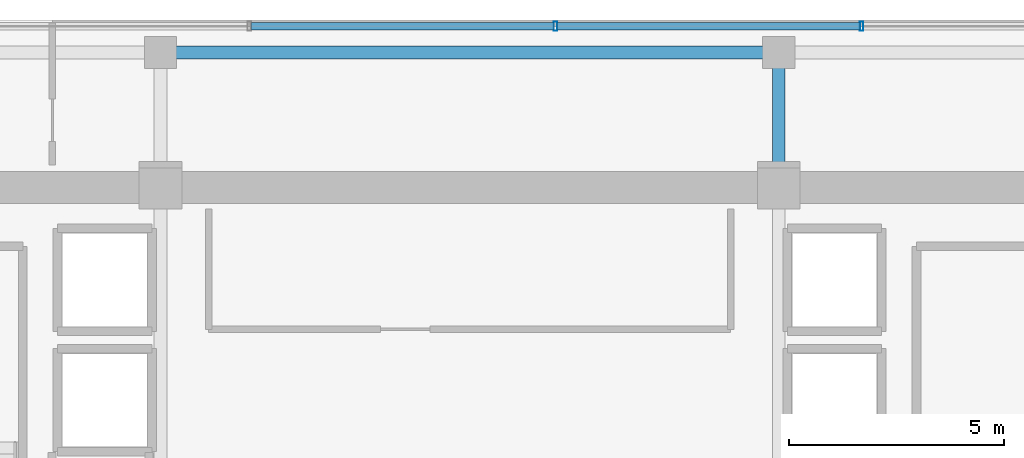
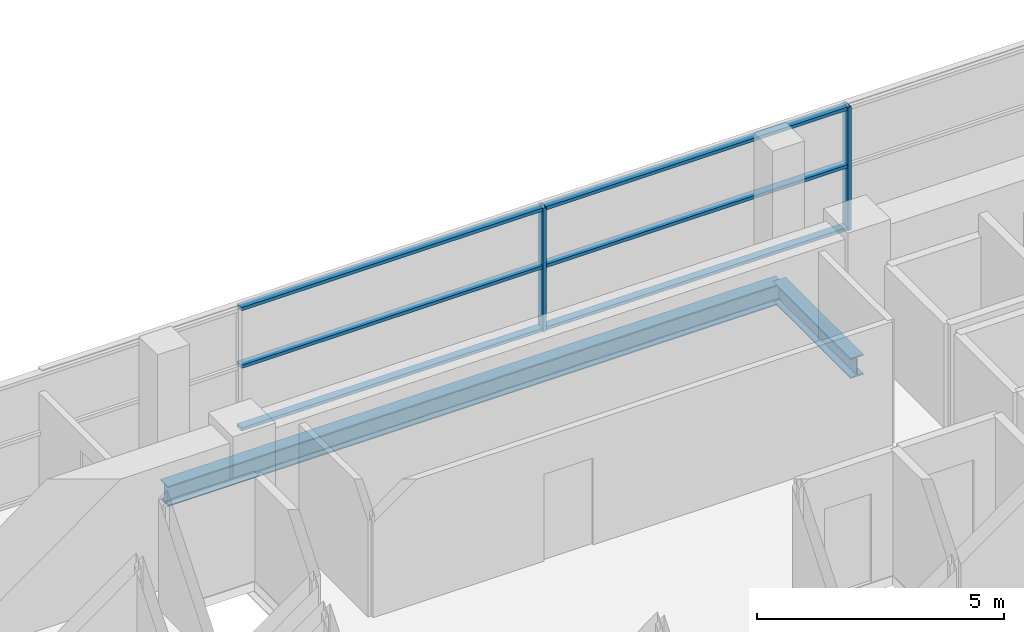
# One storey, part 11 of 21: 8 members, 2 beams, 1 element without a shape of its own.
"""IFC4 building model written with IfcOpenShell, lengths in metres."""

import ifcopenshell
import ifcopenshell.guid

model = None  # the IFC model being written
_history = None  # IfcOwnerHistory: only IFC2X3 demands one
_inside = {}  # id of a spatial element -> (the spatial element, [elements in it])
_under = {}  # id of a project, library or spatial element -> (it, [spatial elements below it])
_declared = {}  # id of a project -> (the project, [libraries it declares])
_typed = {}  # id of a type object -> (the type object, [elements of that type])
_made_of = {}  # id of a material, layer set ... -> (it, [elements and type objects made of it])


def new_model(schema):
    """Start an empty IFC model of exactly this schema.

    Asked for "IFC4X3", IfcOpenShell would pick the latest addendum, in which some entities
    have other attributes; the version numbers below select the first issue.
    IFC2X3 requires an IfcOwnerHistory on every rooted entity: one is made here for all.
    """
    global model, _history
    if schema == "IFC4X3":
        model = ifcopenshell.file(schema_version=(4, 3, 0, 0))
    else:
        model = ifcopenshell.file(schema=schema)
    _inside.clear()
    _under.clear()
    _declared.clear()
    _typed.clear()
    _made_of.clear()
    _history = None
    if model.schema == "IFC2X3":
        org = make("IfcOrganization", Name="unknown")
        user = make(
            "IfcPersonAndOrganization",
            ThePerson=make("IfcPerson", FamilyName="unknown"),
            TheOrganization=org,
        )
        app = make(
            "IfcApplication",
            ApplicationDeveloper=org,
            Version="unknown",
            ApplicationFullName="unknown",
            ApplicationIdentifier="unknown",
        )
        _history = make(
            "IfcOwnerHistory",
            OwningUser=user,
            OwningApplication=app,
            ChangeAction="ADDED",
            CreationDate=0,
        )
    return model


def make(cls, **values):
    """One entity of the class cls with the attributes given. An attribute that is None is left unset."""
    return model.create_entity(
        cls, **{name: value for name, value in values.items() if value is not None}
    )


def rooted(cls, **values):
    """An entity with a GlobalId (a new one), such as an element, a storey or a relation."""
    return make(cls, GlobalId=ifcopenshell.guid.new(), OwnerHistory=_history, **values)


def si_unit(unit_type, name, prefix=None):
    """IfcSIUnit, for example si_unit("LENGTHUNIT", "METRE", prefix="MILLI")."""
    return make("IfcSIUnit", UnitType=unit_type, Prefix=prefix, Name=name)


def assignment(units):
    """IfcUnitAssignment: the units of a project."""
    return None if units is None else make("IfcUnitAssignment", Units=units)


def point(xyz):
    """IfcCartesianPoint."""
    return None if xyz is None else make("IfcCartesianPoint", Coordinates=xyz)


def direction(xyz):
    """IfcDirection."""
    return None if xyz is None else make("IfcDirection", DirectionRatios=xyz)


def frame(location, z_axis=None, x_axis=None):
    """IfcAxis2Placement3D, a coordinate frame: its origin and axes. An axis left out is left unset."""
    return make(
        "IfcAxis2Placement3D",
        Location=point(location),
        Axis=direction(z_axis),
        RefDirection=direction(x_axis),
    )


def frame_2d(location, x_axis=None):
    """IfcAxis2Placement2D, a coordinate frame in the plane: its origin and x axis."""
    return make(
        "IfcAxis2Placement2D", Location=point(location), RefDirection=direction(x_axis)
    )


def origin():
    """The frame at (0, 0, 0) with its axes left unset."""
    return frame((0.0, 0.0, 0.0))


def origin_2d():
    """The frame at (0, 0) in the plane with its x axis left unset."""
    return frame_2d((0.0, 0.0))


def place(relative_to, where):
    """IfcLocalPlacement: puts the frame where relative to a parent placement (None: the world)."""
    return make(
        "IfcLocalPlacement", PlacementRelTo=relative_to, RelativePlacement=where
    )


def context(
    kind, dimensions, precision=None, world=None, true_north=None, identifier=None
):
    """IfcGeometricRepresentationContext, for example the 3D "Model" context."""
    return make(
        "IfcGeometricRepresentationContext",
        ContextIdentifier=identifier,
        ContextType=kind,
        CoordinateSpaceDimension=dimensions,
        Precision=precision,
        WorldCoordinateSystem=world,
        TrueNorth=true_north,
    )


def subcontext(parent, identifier, kind, view, scale=None):
    """IfcGeometricRepresentationSubContext, for example "Body" below "Model"."""
    return make(
        "IfcGeometricRepresentationSubContext",
        ContextIdentifier=identifier,
        ContextType=kind,
        ParentContext=parent,
        TargetScale=scale,
        TargetView=view,
    )


def project(units=None, contexts=None):
    """IfcProject with its units and contexts."""
    return rooted(
        "IfcProject",
        Name="project",
        RepresentationContexts=contexts,
        UnitsInContext=assignment(units),
    )


def spatial(cls, under=None, at=None, **own):
    """A site, building, storey or space (cls), placed at a placement, below another one or the project."""
    s = rooted(cls, ObjectPlacement=at, **own)
    if under is not None:
        _under.setdefault(under.id(), (under, []))[1].append(s)
    return s


def profile(cls, at=None, kind="AREA", **sizes):
    """A parametric profile (cls). Its sizes go by their IFC names, for example OverallWidth=200.0."""
    return make(cls, ProfileType=kind, Position=at, **sizes)


def hollow_rectangle(**sizes):
    """IfcRectangleHollowProfileDef."""
    return profile("IfcRectangleHollowProfileDef", **sizes)


def i_section(**sizes):
    """IfcIShapeProfileDef."""
    return profile("IfcIShapeProfileDef", **sizes)


def extrude(swept, where, along, depth):
    """IfcExtrudedAreaSolid: the profile swept, set in the frame where, extruded along a direction by depth."""
    return make(
        "IfcExtrudedAreaSolid",
        SweptArea=swept,
        Position=where,
        ExtrudedDirection=direction(along),
        Depth=depth,
    )


def shape(context_of_items, identifier, shape_type, items):
    """IfcShapeRepresentation: the items that make up one representation, for example the "Body"."""
    return make(
        "IfcShapeRepresentation",
        ContextOfItems=context_of_items,
        RepresentationIdentifier=identifier,
        RepresentationType=shape_type,
        Items=items,
    )


def source(mapping_origin, context_of_items, identifier, shape_type, items):
    """IfcRepresentationMap: a shape defined once, which mapped items show again and again."""
    return make(
        "IfcRepresentationMap",
        MappingOrigin=mapping_origin,
        MappedRepresentation=shape(context_of_items, identifier, shape_type, items),
    )


def transform(
    local_origin,
    x_axis=None,
    y_axis=None,
    z_axis=None,
    scale=None,
    scale2=None,
    scale3=None,
    uniform=True,
):
    """IfcCartesianTransformationOperator3D, or its non-uniform kind. x_axis, y_axis, z_axis: its Axis1, 2, 3."""
    if uniform:
        return make(
            "IfcCartesianTransformationOperator3D",
            Axis1=direction(x_axis),
            Axis2=direction(y_axis),
            LocalOrigin=point(local_origin),
            Scale=scale,
            Axis3=direction(z_axis),
        )
    return make(
        "IfcCartesianTransformationOperator3DnonUniform",
        Axis1=direction(x_axis),
        Axis2=direction(y_axis),
        LocalOrigin=point(local_origin),
        Scale=scale,
        Axis3=direction(z_axis),
        Scale2=scale2,
        Scale3=scale3,
    )


def mapped(mapping_source, mapping_target):
    """IfcMappedItem: shows the shape of a source again, moved by a transform."""
    return make(
        "IfcMappedItem", MappingSource=mapping_source, MappingTarget=mapping_target
    )


def material(Name=None, Category=None):
    """IfcMaterial."""
    return make("IfcMaterial", Name=Name, Category=Category)


def layer(
    of_material, thickness, ventilated=None, Name=None, Category=None, Priority=None
):
    """IfcMaterialLayer: one layer of a wall or slab, of a material (None: an air gap)."""
    return make(
        "IfcMaterialLayer",
        Material=of_material,
        LayerThickness=thickness,
        IsVentilated=ventilated,
        Name=Name,
        Category=Category,
        Priority=Priority,
    )


def layer_set(layers, Name=None):
    """IfcMaterialLayerSet."""
    return make("IfcMaterialLayerSet", MaterialLayers=layers, LayerSetName=Name)


def material_profile(
    of_material, cross_section, Name=None, Category=None, Priority=None
):
    """IfcMaterialProfile: a cross section and its material."""
    return make(
        "IfcMaterialProfile",
        Name=Name,
        Material=of_material,
        Profile=cross_section,
        Priority=Priority,
        Category=Category,
    )


def profile_set(profiles, Name=None, composite=None):
    """IfcMaterialProfileSet."""
    return make(
        "IfcMaterialProfileSet",
        Name=Name,
        MaterialProfiles=profiles,
        CompositeProfile=composite,
    )


def made_of(thing, what):
    """Note that an element or type object is made of a material, layer set ...; save() writes the relation."""
    if what is not None:
        _made_of.setdefault(what.id(), (what, []))[1].append(thing)
    return thing


def type_object(cls, material=None, **own):
    """A type object (cls), such as IfcWallType, which elements share."""
    return made_of(rooted(cls, **own), material)


def element(
    cls,
    number,
    at=None,
    inside=None,
    cuts=None,
    type_object=None,
    material=None,
    context=None,
    identifier="Body",
    shape_type=None,
    held_by="IfcProductDefinitionShape",
    body=None,
    shapes=None,
    **own,
):
    """One element of the class cls, such as IfcWall. Its Tag is "e" and its number.

    at: its placement. inside: the storey or other place that contains it. cuts: it is an
    opening in that element (IfcRelVoidsElement). A single representation is given by context,
    identifier, shape_type and body (its items); several are given by shapes. held_by: the class
    of the entity that holds the representations. save() writes the other relations.
    """
    e = rooted(cls, Tag="e%d" % number, ObjectPlacement=at, **own)
    if body is not None:
        shapes = [shape(context, identifier, shape_type, body)]
    if shapes is not None:
        e.Representation = make(held_by, Representations=shapes)
    if inside is not None:
        _inside.setdefault(inside.id(), (inside, []))[1].append(e)
    if cuts is not None:
        rooted(
            "IfcRelVoidsElement", RelatingBuildingElement=cuts, RelatedOpeningElement=e
        )
    if type_object is not None:
        _typed.setdefault(type_object.id(), (type_object, []))[1].append(e)
    return made_of(e, material)


def aggregate(whole, parts):
    """IfcRelAggregates: a whole, such as a stair, and the parts it consists of."""
    return rooted("IfcRelAggregates", RelatingObject=whole, RelatedObjects=parts)


def save(model, path):
    """Write the relations noted so far, then the file.

    IfcRelAggregates (storeys below a building ...), IfcRelContainedInSpatialStructure (elements
    in a storey), IfcRelDefinesByType, IfcRelAssociatesMaterial and IfcRelDeclares: one each for
    every whole, place, type object, material and project.
    """
    for whole, parts in _under.values():
        aggregate(whole, parts)
    for where, things in _inside.values():
        rooted(
            "IfcRelContainedInSpatialStructure",
            RelatedElements=things,
            RelatingStructure=where,
        )
    for kind, things in _typed.values():
        rooted("IfcRelDefinesByType", RelatedObjects=things, RelatingType=kind)
    for what, things in _made_of.values():
        rooted("IfcRelAssociatesMaterial", RelatedObjects=things, RelatingMaterial=what)
    for by, libraries in _declared.values():
        rooted("IfcRelDeclares", RelatingContext=by, RelatedDefinitions=libraries)
    model.write(path)


model = new_model("IFC4")

# Units and contexts
model_context = context("Model", 3, precision=1e-05, world=origin(), true_north=direction((0.0, 1.0)))
body_context = subcontext(model_context, "Body", "Model", "MODEL_VIEW")
ifc_project = project(units=[si_unit("LENGTHUNIT", "METRE"), si_unit("AREAUNIT", "SQUARE_METRE"), si_unit("VOLUMEUNIT", "CUBIC_METRE"), si_unit("PLANEANGLEUNIT", "RADIAN"), si_unit("MASSUNIT", "GRAM", prefix="KILO")], contexts=[model_context])

# Site, building, storey
site_placement = place(None, origin())
site = spatial("IfcSite", under=ifc_project, at=site_placement, CompositionType="ELEMENT")
building_placement = place(site_placement, origin())
building = spatial("IfcBuilding", under=site, at=building_placement, Name="Zarnakvel Exchange Tower", CompositionType="ELEMENT")
storey_placement = place(building_placement, frame((0.0, 0.0, 189.10009765625)))
storey = spatial("IfcBuildingStorey", under=building, at=storey_placement, Name="L53", CompositionType="ELEMENT", Elevation=189.10009765625)

# Beams
ifc_material_1 = material(Name="Steel S355", Category="steel")
ifc_material_profile_1 = material_profile(ifc_material_1, i_section(OverallWidth=0.300048828125, OverallDepth=0.5, WebThickness=0.014404296875, FlangeThickness=0.028076171875, FilletRadius=0.027099609375, at=origin_2d()))
ifc_profile_set_1 = profile_set([ifc_material_profile_1], Name="Steel S355")
beam_type_1 = type_object("IfcBeamType", Name="G-06", PredefinedType="BEAM", material=ifc_profile_set_1)
beam_1_placement = place(storey_placement, frame((7.199951171875, 13.5, -0.47509765625), z_axis=(0.0, 1.0, 0.0), x_axis=(-1.0, 0.0, 0.0)))
element("IfcBeam", 1, at=beam_1_placement, inside=storey, type_object=beam_type_1, Name="L53 Tower N-S Frame Beam", PredefinedType="BEAM", context=body_context, shape_type="SweptSolid", body=[
    extrude(i_section(OverallWidth=0.300048828125, OverallDepth=0.5, WebThickness=0.014404296875, FlangeThickness=0.028076171875, FilletRadius=0.027099609375, at=origin_2d()), origin(), (0.0, 0.0, 1.0), 3.14990234375),
])
ifc_material_profile_2 = material_profile(ifc_material_1, i_section(OverallWidth=0.300048828125, OverallDepth=0.5, WebThickness=0.014404296875, FlangeThickness=0.028076171875, FilletRadius=0.027099609375, at=origin_2d()))
ifc_profile_set_2 = profile_set([ifc_material_profile_2], Name="Steel S355")
beam_type_2 = type_object("IfcBeamType", Name="SP-02", PredefinedType="SPANDREL", material=ifc_profile_set_2)
beam_2_placement = place(storey_placement, frame((-7.199951171875, 16.64990234375, -0.47509765625), z_axis=(1.0, 0.0, 0.0), x_axis=(0.0, 1.0, 0.0)))
element("IfcBeam", 2, at=beam_2_placement, inside=storey, type_object=beam_type_2, Name="L53 Tower E-W Frame Beam", PredefinedType="SPANDREL", context=body_context, shape_type="SweptSolid", body=[
    extrude(i_section(OverallWidth=0.300048828125, OverallDepth=0.5, WebThickness=0.014404296875, FlangeThickness=0.028076171875, FilletRadius=0.027099609375, at=origin_2d()), origin(), (0.0, 0.0, 1.0), 14.39990234375),
])

# Curtain wall, members
ifc_material_2 = material(Name="Architectural Bronze Anodised Aluminium", Category="aluminium")
ifc_layer = layer(ifc_material_2, 0.219970703125)
ifc_layer_set = layer_set([ifc_layer], Name="Architectural Bronze Anodised Aluminium")
curtain_wall_type = type_object("IfcCurtainWallType", Name="CW-03", PredefinedType="NOTDEFINED", material=ifc_layer_set)
curtain_wall_placement = place(storey_placement, origin())
curtain_wall = element("IfcCurtainWall", 3, at=curtain_wall_placement, inside=storey, type_object=curtain_wall_type, Name="L53 Curtain Wall CW-L53-N1 (CW-03)", PredefinedType="NOTDEFINED")
ifc_material_profile_3 = material_profile(ifc_material_2, hollow_rectangle(XDim=0.219970703125, YDim=0.080078125, WallThickness=0.0048828125, at=origin_2d()))
ifc_profile_set_3 = profile_set([ifc_material_profile_3], Name="Architectural Bronze Anodised Aluminium")
member_type_1 = type_object("IfcMemberType", Name="CWM-03", PredefinedType="MULLION", material=ifc_profile_set_3)
shared_shape_1 = source(origin(), body_context, "Body", "SweptSolid", [
    extrude(hollow_rectangle(XDim=0.219970703125, YDim=0.080078125, WallThickness=0.0048828125, at=origin_2d()), origin(), (0.0, 0.0, 1.0), 3.054931640625),
])
member_1_placement = place(storey_placement, frame((2.0, 17.260009765625, 0.0), z_axis=(0.0, 0.0, 1.0), x_axis=(0.0, 1.0, 0.0)))
member_1 = element("IfcMember", 4, at=member_1_placement, type_object=member_type_1, Name="CW-03 mullion 4", PredefinedType="MULLION", context=body_context, shape_type="MappedRepresentation", body=[
    mapped(shared_shape_1, transform((0.0, 0.0, 0.0), x_axis=(1.0, 0.0, 0.0), y_axis=(0.0, 1.0, 0.0), z_axis=(0.0, 0.0, 1.0), scale=1.0)),
])
member_2_placement = place(storey_placement, frame((9.13330078125, 17.260009765625, 0.0), z_axis=(0.0, 0.0, 1.0), x_axis=(0.0, 1.0, 0.0)))
member_2 = element("IfcMember", 5, at=member_2_placement, type_object=member_type_1, Name="CW-03 mullion 5", PredefinedType="MULLION", context=body_context, shape_type="MappedRepresentation", body=[
    mapped(shared_shape_1, transform((0.0, 0.0, 0.0), x_axis=(1.0, 0.0, 0.0), y_axis=(0.0, 1.0, 0.0), z_axis=(0.0, 0.0, 1.0), scale=1.0)),
])
ifc_material_profile_4 = material_profile(ifc_material_2, hollow_rectangle(XDim=0.179931640625, YDim=0.080078125, WallThickness=0.00390625, at=origin_2d()))
ifc_profile_set_4 = profile_set([ifc_material_profile_4], Name="Architectural Bronze Anodised Aluminium")
member_type_2 = type_object("IfcMemberType", Name="CWT-03", PredefinedType="USERDEFINED", material=ifc_profile_set_4)
shared_shape_2 = source(origin(), body_context, "Body", "SweptSolid", [
    extrude(hollow_rectangle(XDim=0.179931640625, YDim=0.080078125, WallThickness=0.00390625, at=origin_2d()), origin(), (0.0, 0.0, 1.0), 7.05322265625),
])
member_3_placement = place(storey_placement, frame((-5.09326171875, 17.260009765625, 0.039794921875), z_axis=(1.0, 0.0, 0.0), x_axis=(0.0, 1.0, 0.0)))
member_3 = element("IfcMember", 6, at=member_3_placement, type_object=member_type_2, Name="CW-03 transom 3.1", ObjectType="TRANSOM", PredefinedType="USERDEFINED", context=body_context, shape_type="MappedRepresentation", body=[
    mapped(shared_shape_2, transform((0.0, 0.0, 0.0), x_axis=(1.0, 0.0, 0.0), y_axis=(0.0, 1.0, 0.0), z_axis=(0.0, 0.0, 1.0), scale=1.0)),
])
member_4_placement = place(storey_placement, frame((-5.09326171875, 17.260009765625, 1.588623046875), z_axis=(1.0, 0.0, 0.0), x_axis=(0.0, 1.0, 0.0)))
member_4 = element("IfcMember", 7, at=member_4_placement, type_object=member_type_2, Name="CW-03 transom 3.2", ObjectType="TRANSOM", PredefinedType="USERDEFINED", context=body_context, shape_type="MappedRepresentation", body=[
    mapped(shared_shape_2, transform((0.0, 0.0, 0.0), x_axis=(1.0, 0.0, 0.0), y_axis=(0.0, 1.0, 0.0), z_axis=(0.0, 0.0, 1.0), scale=1.0)),
])
member_5_placement = place(storey_placement, frame((-5.09326171875, 17.260009765625, 3.014892578125), z_axis=(1.0, 0.0, 0.0), x_axis=(0.0, 1.0, 0.0)))
member_5 = element("IfcMember", 8, at=member_5_placement, type_object=member_type_2, Name="CW-03 transom 3.3", ObjectType="TRANSOM", PredefinedType="USERDEFINED", context=body_context, shape_type="MappedRepresentation", body=[
    mapped(shared_shape_2, transform((0.0, 0.0, 0.0), x_axis=(1.0, 0.0, 0.0), y_axis=(0.0, 1.0, 0.0), z_axis=(0.0, 0.0, 1.0), scale=1.0)),
])
member_6_placement = place(storey_placement, frame((2.0400390625, 17.260009765625, 0.039794921875), z_axis=(1.0, 0.0, 0.0), x_axis=(0.0, 1.0, 0.0)))
member_6 = element("IfcMember", 9, at=member_6_placement, type_object=member_type_2, Name="CW-03 transom 4.1", ObjectType="TRANSOM", PredefinedType="USERDEFINED", context=body_context, shape_type="MappedRepresentation", body=[
    mapped(shared_shape_2, transform((0.0, 0.0, 0.0), x_axis=(1.0, 0.0, 0.0), y_axis=(0.0, 1.0, 0.0), z_axis=(0.0, 0.0, 1.0), scale=1.0)),
])
member_7_placement = place(storey_placement, frame((2.0400390625, 17.260009765625, 1.588623046875), z_axis=(1.0, 0.0, 0.0), x_axis=(0.0, 1.0, 0.0)))
member_7 = element("IfcMember", 10, at=member_7_placement, type_object=member_type_2, Name="CW-03 transom 4.2", ObjectType="TRANSOM", PredefinedType="USERDEFINED", context=body_context, shape_type="MappedRepresentation", body=[
    mapped(shared_shape_2, transform((0.0, 0.0, 0.0), x_axis=(1.0, 0.0, 0.0), y_axis=(0.0, 1.0, 0.0), z_axis=(0.0, 0.0, 1.0), scale=1.0)),
])
member_8_placement = place(storey_placement, frame((2.0400390625, 17.260009765625, 3.014892578125), z_axis=(1.0, 0.0, 0.0), x_axis=(0.0, 1.0, 0.0)))
member_8 = element("IfcMember", 11, at=member_8_placement, type_object=member_type_2, Name="CW-03 transom 4.3", ObjectType="TRANSOM", PredefinedType="USERDEFINED", context=body_context, shape_type="MappedRepresentation", body=[
    mapped(shared_shape_2, transform((0.0, 0.0, 0.0), x_axis=(1.0, 0.0, 0.0), y_axis=(0.0, 1.0, 0.0), z_axis=(0.0, 0.0, 1.0), scale=1.0)),
])
aggregate(curtain_wall, [member_1, member_2, member_3, member_4, member_5, member_6, member_7, member_8])

save(model, "model.ifc")
